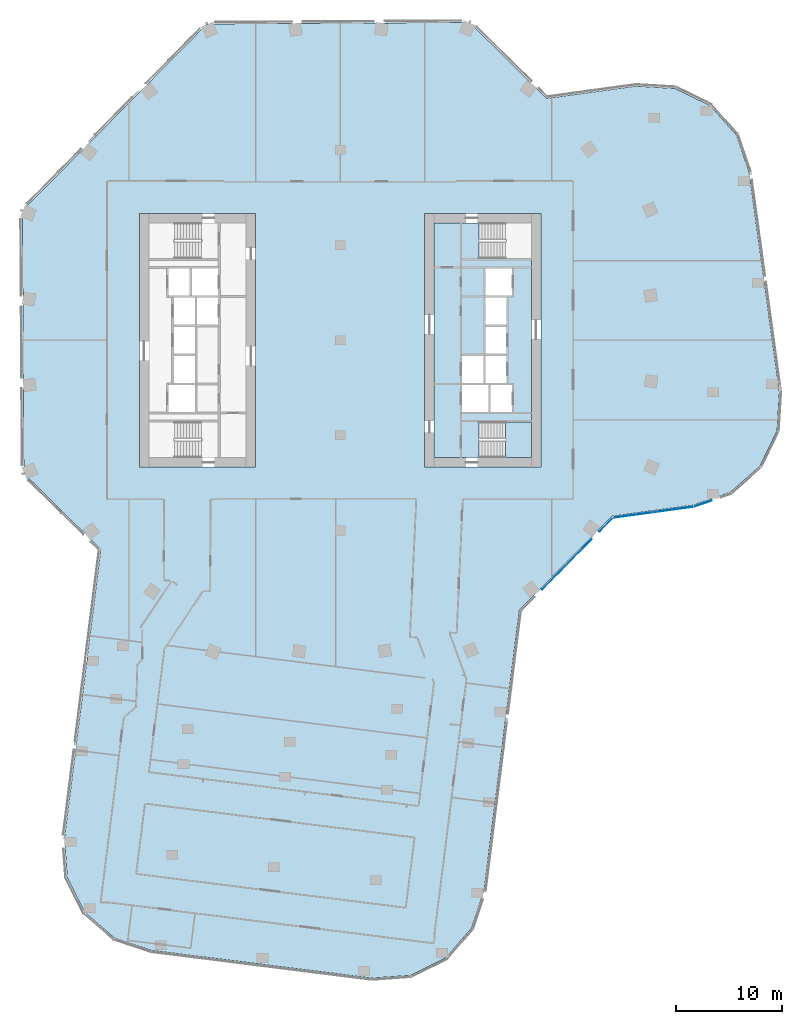
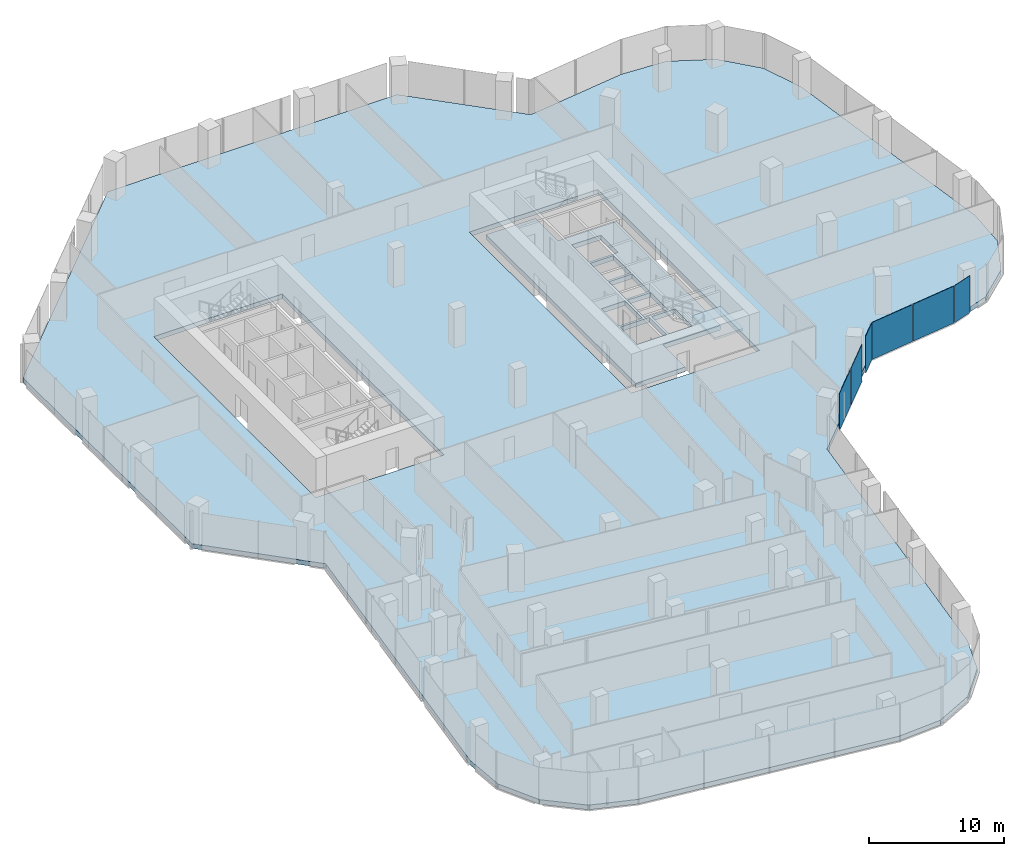
# One storey, part 15 of 27: 6 plates, 3 slabs, 4 elements without a shape of their own.
"""IFC4 building model written with IfcOpenShell, lengths in metres."""

from ifc_helpers import new_model, si_unit, direction, frame, origin, origin_2d, place, context, subcontext, project, spatial, polyline, rectangle, outline, extrude, material, layer, layer_set, type_object, element, aggregate, save


model = new_model("IFC4")

# Units and contexts
model_context = context("Model", 3, precision=1e-05, world=origin(), true_north=direction((0.0, 1.0)))
body_context = subcontext(model_context, "Body", "Model", "MODEL_VIEW")
ifc_project = project(units=[si_unit("LENGTHUNIT", "METRE"), si_unit("AREAUNIT", "SQUARE_METRE"), si_unit("VOLUMEUNIT", "CUBIC_METRE"), si_unit("PLANEANGLEUNIT", "RADIAN"), si_unit("MASSUNIT", "GRAM", prefix="KILO")], contexts=[model_context])

# Site, building, storey
site_placement = place(None, origin())
site = spatial("IfcSite", under=ifc_project, at=site_placement, CompositionType="ELEMENT")
building_placement = place(site_placement, origin())
building = spatial("IfcBuilding", under=site, at=building_placement, Name="Orlundy Tower", CompositionType="ELEMENT")
storey_placement = place(building_placement, frame((0.0, 0.0, 199.10009765625)))
storey = spatial("IfcBuildingStorey", under=building, at=storey_placement, Name="L52", CompositionType="ELEMENT", Elevation=199.10009765625)

# Curtain wall, plate
ifc_material_1 = material(Name="Aluminium bronze anodised", Category="aluminium")
curtain_wall_type = type_object("IfcCurtainWallType", Name="CW1 wall", PredefinedType="NOTDEFINED", material=ifc_material_1)
curtain_wall_1_placement = place(storey_placement, origin())
curtain_wall_1 = element("IfcCurtainWall", 1, at=curtain_wall_1_placement, inside=storey, type_object=curtain_wall_type, Name="CW1 run 015", PredefinedType="NOTDEFINED")
ifc_material_2 = material(Name="Tinted glass", Category="glass")
ifc_layer_1 = layer(ifc_material_2, 0.031982421875)
ifc_layer_set_1 = layer_set([ifc_layer_1], Name="CW1 glass panel 32")
plate_type = type_object("IfcPlateType", Name="CW1 glass panel 32", PredefinedType="CURTAIN_PANEL", material=ifc_layer_set_1)
plate_1_placement = place(storey_placement, frame((34.3330078125, -15.451416015625, -0.300048828125), z_axis=(0.0, 0.0, 1.0), x_axis=(-0.945034174317, -0.32697157273, 0.0)))
plate_1 = element("IfcPlate", 2, at=plate_1_placement, type_object=plate_type, Name="CW1 panel", PredefinedType="CURTAIN_PANEL", context=body_context, shape_type="SweptSolid", body=[
    extrude(rectangle(XDim=1.764892578125, YDim=0.031982421875, at=origin_2d()), origin(), (0.0, 0.0, 1.0), 3.35009765625),
])
aggregate(curtain_wall_1, [plate_1])

# Curtain wall, plates
curtain_wall_2_placement = place(storey_placement, origin())
curtain_wall_2 = element("IfcCurtainWall", 3, at=curtain_wall_2_placement, inside=storey, type_object=curtain_wall_type, Name="CW1 run 016", PredefinedType="NOTDEFINED")
plate_2_placement = place(storey_placement, frame((31.539306640625, -16.0146484375, -0.300048828125), z_axis=(0.0, 0.0, 1.0), x_axis=(-0.990668435814, -0.13629398476, 0.0)))
plate_2 = element("IfcPlate", 4, at=plate_2_placement, type_object=plate_type, Name="CW1 panel", PredefinedType="CURTAIN_PANEL", context=body_context, shape_type="SweptSolid", body=[
    extrude(rectangle(XDim=3.8583984375, YDim=0.031982421875, at=origin_2d()), origin(), (0.0, 0.0, 1.0), 3.35009765625),
])
plate_3_placement = place(storey_placement, frame((27.6904296875, -16.544189453125, -0.300048828125), z_axis=(0.0, 0.0, 1.0), x_axis=(-0.990668435814, -0.13629398476, 0.0)))
plate_3 = element("IfcPlate", 5, at=plate_3_placement, type_object=plate_type, Name="CW1 panel", PredefinedType="CURTAIN_PANEL", context=body_context, shape_type="SweptSolid", body=[
    extrude(rectangle(XDim=3.811767578125, YDim=0.031982421875, at=origin_2d()), origin(), (0.0, 0.0, 1.0), 3.35009765625),
])
aggregate(curtain_wall_2, [plate_2, plate_3])

curtain_wall_3_placement = place(storey_placement, origin())
curtain_wall_3 = element("IfcCurtainWall", 6, at=curtain_wall_3_placement, inside=storey, type_object=curtain_wall_type, Name="CW1 run 017", PredefinedType="NOTDEFINED")
plate_4_placement = place(storey_placement, frame((25.166259765625, -17.44775390625, -0.300048828125), z_axis=(0.0, 0.0, 1.0), x_axis=(-0.702970467781, -0.711219038994, 0.0)))
plate_4 = element("IfcPlate", 7, at=plate_4_placement, type_object=plate_type, Name="CW1 panel", PredefinedType="CURTAIN_PANEL", context=body_context, shape_type="SweptSolid", body=[
    extrude(rectangle(XDim=1.810302734375, YDim=0.031982421875, at=origin_2d()), origin(), (0.0, 0.0, 1.0), 3.35009765625),
])
plate_5_placement = place(storey_placement, frame((22.641357421875, -20.002197265625, -0.300048828125), z_axis=(0.0, 0.0, 1.0), x_axis=(-0.702970467781, -0.711219038994, 0.0)))
plate_5 = element("IfcPlate", 8, at=plate_5_placement, type_object=plate_type, Name="CW1 panel", PredefinedType="CURTAIN_PANEL", context=body_context, shape_type="SweptSolid", body=[
    extrude(rectangle(XDim=3.33203125, YDim=0.031982421875, at=origin_2d()), origin(), (0.0, 0.0, 1.0), 3.35009765625),
])
plate_6_placement = place(storey_placement, frame((20.263916015625, -22.407470703125, -0.300048828125), z_axis=(0.0, 0.0, 1.0), x_axis=(-0.702970467781, -0.711219038994, 0.0)))
plate_6 = element("IfcPlate", 9, at=plate_6_placement, type_object=plate_type, Name="CW1 panel", PredefinedType="CURTAIN_PANEL", context=body_context, shape_type="SweptSolid", body=[
    extrude(rectangle(XDim=3.33203125, YDim=0.031982421875, at=origin_2d()), origin(), (0.0, 0.0, 1.0), 3.35009765625),
])
aggregate(curtain_wall_3, [plate_4, plate_5, plate_6])

# Slab
ifc_material_3 = material(Name="Concrete C50/60", Category="concrete")
ifc_layer_2 = layer(ifc_material_3, 0.419921875)
ifc_layer_set_2 = layer_set([ifc_layer_2], Name="Core Floor Slab 420")
slab_type_1 = type_object("IfcSlabType", Name="Core Floor Slab 420", PredefinedType="FLOOR", material=ifc_layer_set_2)
slab_1_placement = place(storey_placement, frame((0.0, 0.0, -0.420166015625)))
element("IfcSlab", 10, at=slab_1_placement, inside=storey, type_object=slab_type_1, Name="Core floor E40", PredefinedType="FLOOR", context=body_context, shape_type="SweptSolid", body=[
    extrude(outline(polyline([(13.14501953125, 11.10009765625), (13.14501953125, 7.75), (18.10009765625, 7.75), (18.10009765625, -7.75), (13.14501953125, -7.75), (13.14501953125, -11.10009765625), (8.89990234375, -11.10009765625), (8.89990234375, 11.10009765625), (13.14501953125, 11.10009765625)]), holes=[polyline([(13.739990234375, 4.22509765625), (16.239990234375, 4.22509765625), (16.239990234375, 6.77490234375), (13.739990234375, 6.77490234375), (13.739990234375, 4.22509765625)]), polyline([(13.739990234375, 4.02490234375), (13.739990234375, 1.47509765625), (15.739990234375, 1.47509765625), (15.739990234375, 4.02490234375), (13.739990234375, 4.02490234375)]), polyline([(15.739990234375, 1.27490234375), (13.739990234375, 1.27490234375), (13.739990234375, -1.27490234375), (15.739990234375, -1.27490234375), (15.739990234375, 1.27490234375)]), polyline([(13.5400390625, -4.02490234375), (13.5400390625, -1.47509765625), (11.5400390625, -1.47509765625), (11.5400390625, -4.02490234375), (13.5400390625, -4.02490234375)]), polyline([(13.739990234375, -4.02490234375), (15.739990234375, -4.02490234375), (15.739990234375, -1.47509765625), (13.739990234375, -1.47509765625), (13.739990234375, -4.02490234375)]), polyline([(11.5400390625, -4.22509765625), (11.5400390625, -6.77490234375), (14.0400390625, -6.77490234375), (14.0400390625, -4.22509765625), (11.5400390625, -4.22509765625)]), polyline([(16.239990234375, -4.22509765625), (14.239990234375, -4.22509765625), (14.239990234375, -6.77490234375), (16.239990234375, -6.77490234375), (16.239990234375, -4.22509765625)])]), origin(), (0.0, 0.0, 1.0), 0.420166015625),
])

# Stair, slab
ifc_material_4 = material(Name="Concrete C50/60", Category="concrete")
stair_type = type_object("IfcStairType", Name="Exit Stair 20 risers", PredefinedType="HALF_TURN_STAIR", material=ifc_material_4)
stair_placement = place(storey_placement, origin())
stair = element("IfcStair", 11, at=stair_placement, inside=storey, type_object=stair_type, Name="L52 Exit Stair ST-E1", PredefinedType="HALF_TURN_STAIR")
ifc_material_5 = material(Name="Concrete C50/60", Category="concrete")
ifc_layer_3 = layer(ifc_material_5, 0.199951171875)
ifc_layer_set_3 = layer_set([ifc_layer_3], Name="Exit Stair Landing")
slab_type_2 = type_object("IfcSlabType", Name="Exit Stair Landing", PredefinedType="LANDING", material=ifc_layer_set_3)
slab_2_placement = place(storey_placement, frame((0.0, 0.0, 1.5498046875)))
slab_2 = element("IfcSlab", 12, at=slab_2_placement, type_object=slab_type_2, Name="ST-E1 landing 1", PredefinedType="LANDING", context=body_context, shape_type="SweptSolid", body=[
    extrude(outline(polyline([(15.659912109375, -11.10009765625), (18.10009765625, -11.10009765625), (18.10009765625, -7.75), (15.659912109375, -7.75), (15.659912109375, -11.10009765625)])), origin(), (0.0, 0.0, 1.0), 0.2001953125),
])
aggregate(stair, [slab_2])

# Slab
ifc_material_6 = material(Name="Concrete C45/55", Category="concrete")
ifc_layer_4 = layer(ifc_material_6, 0.419921875)
ifc_layer_set_4 = layer_set([ifc_layer_4], Name="TRANSFER FLOOR SLAB 420 C45/55")
slab_type_3 = type_object("IfcSlabType", Name="TRANSFER FLOOR SLAB 420 C45/55", PredefinedType="FLOOR", material=ifc_layer_set_4)
slab_3_placement = place(storey_placement, frame((0.0, 0.0, -0.420166015625)))
element("IfcSlab", 13, at=slab_3_placement, inside=storey, type_object=slab_type_3, Name="Floor slab L52", PredefinedType="FLOOR", context=body_context, shape_type="SweptSolid", body=[
    extrude(outline(polyline([(-22.64697265625, -19.797119140625), (-29.927001953125, -12.60107421875), (-30.072021484375, 12.251953125), (-12.60107421875, 29.927001953125), (12.251953125, 30.072021484375), (19.531982421875, 22.8759765625), (27.985107421875, 24.0380859375), (31.68505859375, 23.818115234375), (35.01904296875, 22.197021484375), (37.47900390625, 19.425048828125), (38.69091796875, 15.922119140625), (41.552978515625, -4.882080078125), (41.33203125, -8.58203125), (39.7119140625, -11.916015625), (36.93994140625, -14.3759765625), (33.43701171875, -15.587890625), (25.72509765625, -16.64892578125), (16.947021484375, -25.530029296875), (13.60595703125, -52.10400390625), (12.43505859375, -55.62109375), (10.007080078125, -58.422119140625), (6.69189453125, -60.0810546875), (2.9951171875, -60.344970703125), (-17.841064453125, -57.72509765625), (-21.35791015625, -56.553955078125), (-24.158935546875, -54.1259765625), (-25.818115234375, -50.81201171875), (-26.08203125, -47.114013671875), (-22.64697265625, -19.797119140625)]), holes=[polyline([(-8.0, -12.0), (-8.0, 12.0), (-19.0, 12.0), (-19.0, -12.0), (-8.0, -12.0)]), polyline([(19.0, -12.0), (19.0, 12.0), (8.0, 12.0), (8.0, -12.0), (19.0, -12.0)])]), origin(), (0.0, 0.0, 1.0), 0.420166015625),
])

save(model, "model.ifc")
